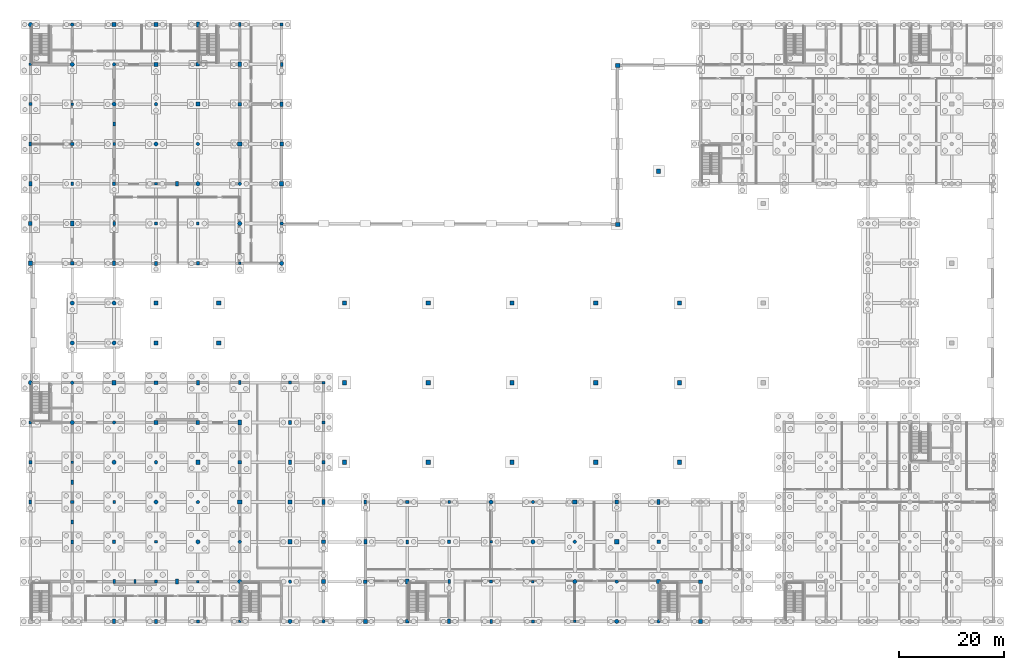
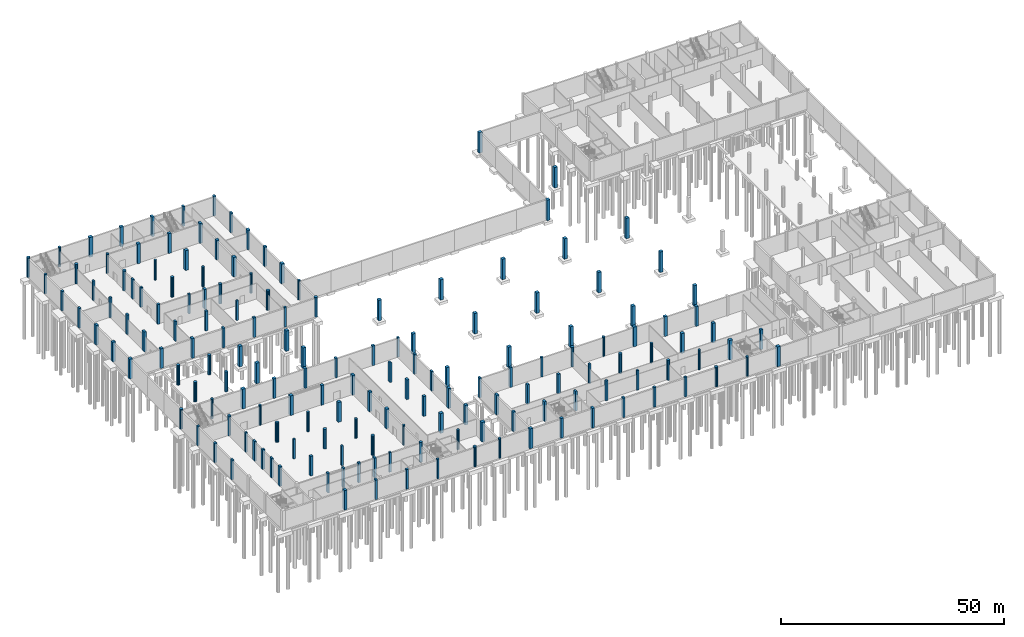
# One storey, part 18 of 44: 166 columns.
"""IFC4 building model written with IfcOpenShell, lengths in metres."""

from ifc_helpers import new_model, si_unit, direction, frame, origin, origin_2d, place, context, subcontext, project, spatial, rectangle, circle, extrude, material, material_profile, profile_set, type_object, element, save


model = new_model("IFC4")

# Units and contexts
model_context = context("Model", 3, precision=1e-05, world=origin(), true_north=direction((0.0, 1.0)))
body_context = subcontext(model_context, "Body", "Model", "MODEL_VIEW")
ifc_project = project(units=[si_unit("LENGTHUNIT", "METRE"), si_unit("AREAUNIT", "SQUARE_METRE"), si_unit("VOLUMEUNIT", "CUBIC_METRE"), si_unit("PLANEANGLEUNIT", "RADIAN"), si_unit("MASSUNIT", "GRAM", prefix="KILO")], contexts=[model_context])

# Site, building, storey
site_placement = place(None, origin())
site = spatial("IfcSite", under=ifc_project, at=site_placement, CompositionType="ELEMENT")
building_placement = place(site_placement, origin())
building = spatial("IfcBuilding", under=site, at=building_placement, Name="Khelvaren Railside Concert Hall", CompositionType="ELEMENT")
storey_placement = place(building_placement, frame((0.0, 0.0, -5.39990234375)))
storey = spatial("IfcBuildingStorey", under=building, at=storey_placement, Name="B1", CompositionType="ELEMENT", Elevation=-5.39990234375)

# Columns
ifc_material = material(Name="Concrete C45/55", Category="concrete")
ifc_material_profile_1 = material_profile(ifc_material, rectangle(XDim=0.60009765625, YDim=0.60009765625, at=origin_2d()), Name="RC 600x600")
ifc_profile_set_1 = profile_set([ifc_material_profile_1], Name="Concrete C45/55")
column_type_1 = type_object("IfcColumnType", Name="COL11", PredefinedType="COLUMN", material=ifc_profile_set_1)
for number, where, z_axis, x_axis, name in (
    (1, (0.0, 30.39990234375, 0.0), (0.0, 0.0, 1.0), (1.0, 0.0, 0.0), "V1 B1 Column (0.0,30.4)"),
    (2, (32.0, 0.0, 0.0), (0.0, 0.0, 1.0), (1.0, 0.0, 0.0), "V1 B1 Column (32.0,0.0)"),
    (3, (49.60009765625, 45.60009765625, 0.0), (0.0, 0.0, 1.0), (1.0, 0.0, 0.0), "V1 B1 Column (49.6,45.6)"),
    (4, (56.0, 38.0, 0.0), (0.0, 0.0, 1.0), (1.0, 0.0, 0.0), "V1 B1 Column (56.0,38.0)"),
    (5, (72.0, 22.800048828125, 0.0), (0.0, 0.0, 1.0), (1.0, 0.0, 0.0), "V3 B1 Column (72.0,22.8)"),
    (6, (96.0, 0.0, 0.0), (0.0, 0.0, 1.0), (1.0, 0.0, 0.0), "V3 B1 Column (96.0,0.0)"),
    (7, (0.0, 98.800048828125, 0.0), (0.0, 0.0, 1.0), (1.0, 0.0, 0.0), "V4 B1 Column (0.0,98.8)"),
    (8, (32.0, 68.39990234375, 0.0), (0.0, 0.0, 1.0), (1.0, 0.0, 0.0), "V4 B1 Column (32.0,68.4)"),
    (9, (48.0, 114.0, 0.0), (0.0, 0.0, 1.0), (1.0, 0.0, 0.0), "V4 B1 Column (48.0,114.0)"),
):
    element("IfcColumn", number, at=place(storey_placement, frame(where, z_axis=z_axis, x_axis=x_axis)), inside=storey, type_object=column_type_1, Name=name, PredefinedType="COLUMN", context=body_context, shape_type="SweptSolid", body=[
        extrude(rectangle(XDim=0.60009765625, YDim=0.60009765625, at=origin_2d()), origin(), (0.0, 0.0, 1.0), 5.39990234375),
    ])
ifc_material_profile_2 = material_profile(ifc_material, circle(Radius=0.39990234375, at=origin_2d()), Name="RC D800")
ifc_profile_set_2 = profile_set([ifc_material_profile_2], Name="Concrete C45/55")
column_type_2 = type_object("IfcColumnType", Name="COL14", PredefinedType="COLUMN", material=ifc_profile_set_2)
for number, where, z_axis, x_axis, name in (
    (10, (8.0, 38.0, 0.0), (0.0, 0.0, 1.0), (1.0, 0.0, 0.0), "V1 B1 Column (8.0,38.0)"),
    (11, (16.0, 30.39990234375, 0.0), (0.0, 0.0, 1.0), (1.0, 0.0, 0.0), "V1 B1 Column (16.0,30.4)"),
    (12, (24.0, 22.800048828125, 0.0), (0.0, 0.0, 1.0), (1.0, 0.0, 0.0), "V1 B1 Column (24.0,22.8)"),
    (13, (32.0, 15.199951171875, 0.0), (0.0, 0.0, 1.0), (1.0, 0.0, 0.0), "V1 B1 Column (32.0,15.2)"),
    (14, (40.0, 7.60009765625, 0.0), (0.0, 0.0, 1.0), (1.0, 0.0, 0.0), "V1 B1 Column (40.0,7.6)"),
    (15, (96.0, 15.199951171875, 0.0), (0.0, 0.0, 1.0), (1.0, 0.0, 0.0), "V3 B1 Column (96.0,15.2)"),
    (16, (104.0, 7.60009765625, 0.0), (0.0, 0.0, 1.0), (1.0, 0.0, 0.0), "V3 B1 Column (104.0,7.6)"),
    (17, (8.0, 106.39990234375, 0.0), (0.0, 0.0, 1.0), (1.0, 0.0, 0.0), "V4 B1 Column (8.0,106.4)"),
    (18, (16.0, 98.800048828125, 0.0), (0.0, 0.0, 1.0), (1.0, 0.0, 0.0), "V4 B1 Column (16.0,98.8)"),
    (19, (24.0, 91.199951171875, 0.0), (0.0, 0.0, 1.0), (1.0, 0.0, 0.0), "V4 B1 Column (24.0,91.2)"),
    (20, (32.0, 83.60009765625, 0.0), (0.0, 0.0, 1.0), (1.0, 0.0, 0.0), "V4 B1 Column (32.0,83.6)"),
    (21, (40.0, 76.0, 0.0), (0.0, 0.0, 1.0), (1.0, 0.0, 0.0), "V4 B1 Column (40.0,76.0)"),
    (22, (8.0, 53.199951171875, 0.0), (0.0, 0.0, 1.0), (1.0, 0.0, 0.0), "LB3 B1 Bridge Pier (8,53.2)"),
    (23, (8.0, 60.800048828125, 0.0), (0.0, 0.0, 1.0), (1.0, 0.0, 0.0), "LB3 B1 Bridge Pier (8,60.8)"),
    (24, (16.0, 53.199951171875, 0.0), (0.0, 0.0, 1.0), (1.0, 0.0, 0.0), "LB3 B1 Bridge Pier (16,53.2)"),
    (25, (16.0, 60.800048828125, 0.0), (0.0, 0.0, 1.0), (1.0, 0.0, 0.0), "LB3 B1 Bridge Pier (16,60.8)"),
):
    element("IfcColumn", number, at=place(storey_placement, frame(where, z_axis=z_axis, x_axis=x_axis)), inside=storey, type_object=column_type_2, Name=name, PredefinedType="COLUMN", context=body_context, shape_type="SweptSolid", body=[
        extrude(circle(Radius=0.39990234375, at=origin_2d()), origin(), (0.0, 0.0, 1.0), 5.39990234375),
    ])
ifc_material_profile_3 = material_profile(ifc_material, rectangle(XDim=0.699951171875, YDim=0.699951171875, at=origin_2d()), Name="RC 700x700")
ifc_profile_set_3 = profile_set([ifc_material_profile_3], Name="Concrete C45/55")
column_type_3 = type_object("IfcColumnType", Name="COL16", PredefinedType="COLUMN", material=ifc_profile_set_3)
for number, where, z_axis, x_axis, name in (
    (26, (24.0, 45.60009765625, 0.0), (0.0, 0.0, 1.0), (1.0, 0.0, 0.0), "V1 B1 Column (24.0,45.6)"),
    (27, (56.0, 15.199951171875, 0.0), (0.0, 0.0, 1.0), (1.0, 0.0, 0.0), "V1 B1 Column (56.0,15.2)"),
    (28, (64.0, 7.60009765625, 0.0), (0.0, 0.0, 1.0), (1.0, 0.0, 0.0), "V3 B1 Column (64.0,7.6)"),
    (29, (72.0, 0.0, 0.0), (0.0, 0.0, 1.0), (1.0, 0.0, 0.0), "V3 B1 Column (72.0,0.0)"),
    (30, (112.0, 22.800048828125, 0.0), (0.0, 0.0, 1.0), (1.0, 0.0, 0.0), "V3 B1 Column (112.0,22.8)"),
    (31, (0.0, 76.0, 0.0), (0.0, 0.0, 1.0), (1.0, 0.0, 0.0), "V4 B1 Column (0.0,76.0)"),
    (32, (8.0, 68.39990234375, 0.0), (0.0, 0.0, 1.0), (1.0, 0.0, 0.0), "V4 B1 Column (8.0,68.4)"),
    (33, (24.0, 114.0, 0.0), (0.0, 0.0, 1.0), (1.0, 0.0, 0.0), "V4 B1 Column (24.0,114.0)"),
    (34, (48.0, 91.199951171875, 0.0), (0.0, 0.0, 1.0), (1.0, 0.0, 0.0), "V4 B1 Column (48.0,91.2)"),
):
    element("IfcColumn", number, at=place(storey_placement, frame(where, z_axis=z_axis, x_axis=x_axis)), inside=storey, type_object=column_type_3, Name=name, PredefinedType="COLUMN", context=body_context, shape_type="SweptSolid", body=[
        extrude(rectangle(XDim=0.699951171875, YDim=0.699951171875, at=origin_2d()), origin(), (0.0, 0.0, 1.0), 5.39990234375),
    ])
ifc_material_profile_4 = material_profile(ifc_material, rectangle(XDim=0.800048828125, YDim=0.800048828125, at=origin_2d()), Name="RC 800x800")
ifc_profile_set_4 = profile_set([ifc_material_profile_4], Name="Concrete C45/55")
column_type_4 = type_object("IfcColumnType", Name="COL20", PredefinedType="COLUMN", material=ifc_profile_set_4)
for number, where, z_axis, x_axis, name in (
    (35, (24.0, 38.0, 0.0), (0.0, 0.0, 1.0), (1.0, 0.0, 0.0), "V1 B1 Column (24.0,38.0)"),
    (36, (32.0, 30.39990234375, 0.0), (0.0, 0.0, 1.0), (1.0, 0.0, 0.0), "V1 B1 Column (32.0,30.4)"),
    (37, (40.0, 22.800048828125, 0.0), (0.0, 0.0, 1.0), (1.0, 0.0, 0.0), "V1 B1 Column (40.0,22.8)"),
    (38, (49.60009765625, 15.199951171875, 0.0), (0.0, 0.0, 1.0), (1.0, 0.0, 0.0), "V1 B1 Column (49.6,15.2)"),
    (39, (112.0, 15.199951171875, 0.0), (0.0, 0.0, 1.0), (1.0, 0.0, 0.0), "V3 B1 Column (112.0,15.2)"),
    (40, (120.0, 7.60009765625, 0.0), (0.0, 0.0, 1.0), (1.0, 0.0, 0.0), "V3 B1 Column (120.0,7.6)"),
    (41, (24.0, 106.39990234375, 0.0), (0.0, 0.0, 1.0), (1.0, 0.0, 0.0), "V4 B1 Column (24.0,106.4)"),
    (42, (32.0, 98.800048828125, 0.0), (0.0, 0.0, 1.0), (1.0, 0.0, 0.0), "V4 B1 Column (32.0,98.8)"),
    (43, (40.0, 91.199951171875, 0.0), (0.0, 0.0, 1.0), (1.0, 0.0, 0.0), "V4 B1 Column (40.0,91.2)"),
):
    element("IfcColumn", number, at=place(storey_placement, frame(where, z_axis=z_axis, x_axis=x_axis)), inside=storey, type_object=column_type_4, Name=name, PredefinedType="COLUMN", context=body_context, shape_type="SweptSolid", body=[
        extrude(rectangle(XDim=0.800048828125, YDim=0.800048828125, at=origin_2d()), origin(), (0.0, 0.0, 1.0), 5.39990234375),
    ])
for number, where, z_axis, x_axis, name in (
    (44, (60.0, 30.39990234375, -0.5), (0.0, 0.0, 1.0), (1.0, 0.0, 0.0), "B1 Courtyard Support Column 1"),
    (45, (76.0, 30.39990234375, -0.5), (0.0, 0.0, 1.0), (1.0, 0.0, 0.0), "B1 Courtyard Support Column 2"),
    (46, (92.0, 30.39990234375, -0.5), (0.0, 0.0, 1.0), (1.0, 0.0, 0.0), "B1 Courtyard Support Column 3"),
    (47, (108.0, 30.39990234375, -0.5), (0.0, 0.0, 1.0), (1.0, 0.0, 0.0), "B1 Courtyard Support Column 4"),
    (48, (124.0, 30.39990234375, -0.5), (0.0, 0.0, 1.0), (1.0, 0.0, 0.0), "B1 Courtyard Support Column 5"),
    (49, (60.0, 45.60009765625, -0.5), (0.0, 0.0, 1.0), (1.0, 0.0, 0.0), "B1 Courtyard Support Column 6"),
    (50, (76.0, 45.60009765625, -0.5), (0.0, 0.0, 1.0), (1.0, 0.0, 0.0), "B1 Courtyard Support Column 7"),
    (51, (92.0, 45.60009765625, -0.5), (0.0, 0.0, 1.0), (1.0, 0.0, 0.0), "B1 Courtyard Support Column 8"),
    (52, (108.0, 45.60009765625, -0.5), (0.0, 0.0, 1.0), (1.0, 0.0, 0.0), "B1 Courtyard Support Column 9"),
    (53, (124.0, 45.60009765625, -0.5), (0.0, 0.0, 1.0), (1.0, 0.0, 0.0), "B1 Courtyard Support Column 10"),
    (54, (60.0, 60.800048828125, -0.5), (0.0, 0.0, 1.0), (1.0, 0.0, 0.0), "B1 Courtyard Support Column 12"),
    (55, (76.0, 60.800048828125, -0.5), (0.0, 0.0, 1.0), (1.0, 0.0, 0.0), "B1 Courtyard Support Column 13"),
    (56, (92.0, 60.800048828125, -0.5), (0.0, 0.0, 1.0), (1.0, 0.0, 0.0), "B1 Courtyard Support Column 14"),
    (57, (108.0, 60.800048828125, -0.5), (0.0, 0.0, 1.0), (1.0, 0.0, 0.0), "B1 Courtyard Support Column 15"),
    (58, (124.0, 60.800048828125, -0.5), (0.0, 0.0, 1.0), (1.0, 0.0, 0.0), "B1 Courtyard Support Column 16"),
    (59, (24.0, 53.199951171875, -0.5), (0.0, 0.0, 1.0), (1.0, 0.0, 0.0), "B1 Courtyard Support Column 18"),
    (60, (36.0, 53.199951171875, -0.5), (0.0, 0.0, 1.0), (1.0, 0.0, 0.0), "B1 Courtyard Support Column 19"),
    (61, (24.0, 60.800048828125, -0.5), (0.0, 0.0, 1.0), (1.0, 0.0, 0.0), "B1 Courtyard Support Column 20"),
    (62, (36.0, 60.800048828125, -0.5), (0.0, 0.0, 1.0), (1.0, 0.0, 0.0), "B1 Courtyard Support Column 21"),
    (63, (120.0, 86.0, -0.5), (0.0, 0.0, 1.0), (1.0, 0.0, 0.0), "B1 Courtyard Support Column 25"),
    (64, (112.199951171875, 75.800048828125, -0.5), (0.0, 0.0, 1.0), (1.0, 0.0, 0.0), "B1 Courtyard Support Column 26"),
    (65, (112.199951171875, 106.199951171875, -0.5), (0.0, 0.0, 1.0), (1.0, 0.0, 0.0), "B1 Courtyard Support Column 27"),
):
    element("IfcColumn", number, at=place(storey_placement, frame(where, z_axis=z_axis, x_axis=x_axis)), inside=storey, type_object=column_type_4, Name=name, PredefinedType="COLUMN", context=body_context, shape_type="SweptSolid", body=[
        extrude(rectangle(XDim=0.800048828125, YDim=0.800048828125, at=origin_2d()), origin(), (0.0, 0.0, 1.0), 5.599853515625),
    ])
ifc_material_profile_5 = material_profile(ifc_material, circle(Radius=0.39990234375, at=origin_2d()), Name="RC D800")
ifc_profile_set_5 = profile_set([ifc_material_profile_5], Name="Concrete C45/55")
column_type_5 = type_object("IfcColumnType", Name="COL22", PredefinedType="COLUMN", material=ifc_profile_set_5)
for number, where, z_axis, x_axis, name in (
    (66, (0.0, 45.60009765625, 0.0), (0.0, 0.0, 1.0), (1.0, 0.0, 0.0), "V1 B1 Column (0.0,45.6)"),
    (67, (49.60009765625, 0.0, 0.0), (0.0, 0.0, 1.0), (1.0, 0.0, 0.0), "V1 B1 Column (49.6,0.0)"),
    (68, (88.0, 22.800048828125, 0.0), (0.0, 0.0, 1.0), (1.0, 0.0, 0.0), "V3 B1 Column (88.0,22.8)"),
    (69, (112.0, 0.0, 0.0), (0.0, 0.0, 1.0), (1.0, 0.0, 0.0), "V3 B1 Column (112.0,0.0)"),
    (70, (0.0, 114.0, 0.0), (0.0, 0.0, 1.0), (1.0, 0.0, 0.0), "V4 B1 Column (0.0,114.0)"),
    (71, (48.0, 68.39990234375, 0.0), (0.0, 0.0, 1.0), (1.0, 0.0, 0.0), "V4 B1 Column (48.0,68.4)"),
):
    element("IfcColumn", number, at=place(storey_placement, frame(where, z_axis=z_axis, x_axis=x_axis)), inside=storey, type_object=column_type_5, Name=name, PredefinedType="COLUMN", context=body_context, shape_type="SweptSolid", body=[
        extrude(circle(Radius=0.39990234375, at=origin_2d()), origin(), (0.0, 0.0, 1.0), 5.39990234375),
    ])
ifc_material_profile_6 = material_profile(ifc_material, rectangle(XDim=0.60009765625, YDim=0.60009765625, at=origin_2d()), Name="RC 600x600")
ifc_profile_set_6 = profile_set([ifc_material_profile_6], Name="Concrete C45/55")
column_type_6 = type_object("IfcColumnType", Name="COL29", PredefinedType="COLUMN", material=ifc_profile_set_6)
for number, where, z_axis, x_axis, name in (
    (72, (8.0, 22.800048828125, 0.0), (0.0, 0.0, 1.0), (1.0, 0.0, 0.0), "V1 B1 Column (8.0,22.8)"),
    (73, (16.0, 15.199951171875, 0.0), (0.0, 0.0, 1.0), (1.0, 0.0, 0.0), "V1 B1 Column (16.0,15.2)"),
    (74, (24.0, 7.60009765625, 0.0), (0.0, 0.0, 1.0), (1.0, 0.0, 0.0), "V1 B1 Column (24.0,7.6)"),
    (75, (80.0, 15.199951171875, 0.0), (0.0, 0.0, 1.0), (1.0, 0.0, 0.0), "V3 B1 Column (80.0,15.2)"),
    (76, (88.0, 7.60009765625, 0.0), (0.0, 0.0, 1.0), (1.0, 0.0, 0.0), "V3 B1 Column (88.0,7.6)"),
    (77, (8.0, 91.199951171875, 0.0), (0.0, 0.0, 1.0), (1.0, 0.0, 0.0), "V4 B1 Column (8.0,91.2)"),
    (78, (16.0, 83.60009765625, 0.0), (0.0, 0.0, 1.0), (1.0, 0.0, 0.0), "V4 B1 Column (16.0,83.6)"),
    (79, (24.0, 76.0, 0.0), (0.0, 0.0, 1.0), (1.0, 0.0, 0.0), "V4 B1 Column (24.0,76.0)"),
):
    element("IfcColumn", number, at=place(storey_placement, frame(where, z_axis=z_axis, x_axis=x_axis)), inside=storey, type_object=column_type_6, Name=name, PredefinedType="COLUMN", context=body_context, shape_type="SweptSolid", body=[
        extrude(rectangle(XDim=0.60009765625, YDim=0.60009765625, at=origin_2d()), origin(), (0.0, 0.0, 1.0), 5.39990234375),
    ])
ifc_material_profile_7 = material_profile(ifc_material, rectangle(XDim=0.60009765625, YDim=0.89990234375, at=origin_2d()), Name="RC 600x900")
ifc_profile_set_7 = profile_set([ifc_material_profile_7], Name="Concrete C45/55")
column_type_7 = type_object("IfcColumnType", Name="COL33", PredefinedType="COLUMN", material=ifc_profile_set_7)
for number, where, z_axis, x_axis, name in (
    (80, (40.0, 38.0, 0.0), (0.0, 0.0, 1.0), (1.0, 0.0, 0.0), "V1 B1 Column (40.0,38.0)"),
    (81, (49.60009765625, 30.39990234375, 0.0), (0.0, 0.0, 1.0), (1.0, 0.0, 0.0), "V1 B1 Column (49.6,30.4)"),
    (82, (72.0, 7.60009765625, 0.0), (0.0, 0.0, 1.0), (1.0, 0.0, 0.0), "V3 B1 Column (72.0,7.6)"),
    (83, (8.0, 76.0, 0.0), (0.0, 0.0, 1.0), (1.0, 0.0, 0.0), "V4 B1 Column (8.0,76.0)"),
    (84, (40.0, 106.39990234375, 0.0), (0.0, 0.0, 1.0), (1.0, 0.0, 0.0), "V4 B1 Column (40.0,106.4)"),
):
    element("IfcColumn", number, at=place(storey_placement, frame(where, z_axis=z_axis, x_axis=x_axis)), inside=storey, type_object=column_type_7, Name=name, PredefinedType="COLUMN", context=body_context, shape_type="SweptSolid", body=[
        extrude(rectangle(XDim=0.60009765625, YDim=0.89990234375, at=origin_2d()), origin(), (0.0, 0.0, 1.0), 5.39990234375),
    ])
ifc_material_profile_8 = material_profile(ifc_material, rectangle(XDim=0.5, YDim=0.5, at=origin_2d()), Name="RC 500x500")
ifc_profile_set_8 = profile_set([ifc_material_profile_8], Name="Concrete C45/55")
column_type_8 = type_object("IfcColumnType", Name="COL35", PredefinedType="COLUMN", material=ifc_profile_set_8)
for number, where, z_axis, x_axis, name in (
    (85, (0.0, 38.0, 0.0), (0.0, 0.0, 1.0), (1.0, 0.0, 0.0), "V1 B1 Column (0.0,38.0)"),
    (86, (40.0, 0.0, 0.0), (0.0, 0.0, 1.0), (1.0, 0.0, 0.0), "V1 B1 Column (40.0,0.0)"),
    (87, (56.0, 45.60009765625, 0.0), (0.0, 0.0, 1.0), (1.0, 0.0, 0.0), "V1 B1 Column (56.0,45.6)"),
    (88, (80.0, 22.800048828125, 0.0), (0.0, 0.0, 1.0), (1.0, 0.0, 0.0), "V3 B1 Column (80.0,22.8)"),
    (89, (104.0, 0.0, 0.0), (0.0, 0.0, 1.0), (1.0, 0.0, 0.0), "V3 B1 Column (104.0,0.0)"),
    (90, (0.0, 106.39990234375, 0.0), (0.0, 0.0, 1.0), (1.0, 0.0, 0.0), "V4 B1 Column (0.0,106.4)"),
    (91, (40.0, 68.39990234375, 0.0), (0.0, 0.0, 1.0), (1.0, 0.0, 0.0), "V4 B1 Column (40.0,68.4)"),
):
    element("IfcColumn", number, at=place(storey_placement, frame(where, z_axis=z_axis, x_axis=x_axis)), inside=storey, type_object=column_type_8, Name=name, PredefinedType="COLUMN", context=body_context, shape_type="SweptSolid", body=[
        extrude(rectangle(XDim=0.5, YDim=0.5, at=origin_2d()), origin(), (0.0, 0.0, 1.0), 5.39990234375),
    ])
ifc_material_profile_9 = material_profile(ifc_material, rectangle(XDim=0.5, YDim=0.75, at=origin_2d()), Name="RC 500x750")
ifc_profile_set_9 = profile_set([ifc_material_profile_9], Name="Concrete C45/55")
column_type_9 = type_object("IfcColumnType", Name="COL36", PredefinedType="COLUMN", material=ifc_profile_set_9)
for number, where, z_axis, x_axis, name in (
    (92, (8.0, 15.199951171875, 0.0), (0.0, 0.0, 1.0), (1.0, 0.0, 0.0), "V1 B1 Column (8.0,15.2)"),
    (93, (16.0, 7.60009765625, 0.0), (0.0, 0.0, 1.0), (1.0, 0.0, 0.0), "V1 B1 Column (16.0,7.6)"),
    (94, (49.60009765625, 38.0, 0.0), (0.0, 0.0, 1.0), (1.0, 0.0, 0.0), "V1 B1 Column (49.6,38.0)"),
    (95, (72.0, 15.199951171875, 0.0), (0.0, 0.0, 1.0), (1.0, 0.0, 0.0), "V3 B1 Column (72.0,15.2)"),
    (96, (80.0, 7.60009765625, 0.0), (0.0, 0.0, 1.0), (1.0, 0.0, 0.0), "V3 B1 Column (80.0,7.6)"),
    (97, (8.0, 83.60009765625, 0.0), (0.0, 0.0, 1.0), (1.0, 0.0, 0.0), "V4 B1 Column (8.0,83.6)"),
    (98, (16.0, 76.0, 0.0), (0.0, 0.0, 1.0), (1.0, 0.0, 0.0), "V4 B1 Column (16.0,76.0)"),
):
    element("IfcColumn", number, at=place(storey_placement, frame(where, z_axis=z_axis, x_axis=x_axis)), inside=storey, type_object=column_type_9, Name=name, PredefinedType="COLUMN", context=body_context, shape_type="SweptSolid", body=[
        extrude(rectangle(XDim=0.5, YDim=0.75, at=origin_2d()), origin(), (0.0, 0.0, 1.0), 5.39990234375),
    ])
ifc_material_profile_10 = material_profile(ifc_material, rectangle(XDim=0.800048828125, YDim=0.800048828125, at=origin_2d()), Name="RC 800x800")
ifc_profile_set_10 = profile_set([ifc_material_profile_10], Name="Concrete C45/55")
column_type_10 = type_object("IfcColumnType", Name="COL38", PredefinedType="COLUMN", material=ifc_profile_set_10)
for number, where, z_axis, x_axis, name in (
    (99, (16.0, 45.60009765625, 0.0), (0.0, 0.0, 1.0), (1.0, 0.0, 0.0), "V1 B1 Column (16.0,45.6)"),
    (100, (56.0, 7.60009765625, 0.0), (0.0, 0.0, 1.0), (1.0, 0.0, 0.0), "V1 B1 Column (56.0,7.6)"),
    (101, (64.0, 0.0, 0.0), (0.0, 0.0, 1.0), (1.0, 0.0, 0.0), "V3 B1 Column (64.0,0.0)"),
    (102, (104.0, 22.800048828125, 0.0), (0.0, 0.0, 1.0), (1.0, 0.0, 0.0), "V3 B1 Column (104.0,22.8)"),
    (103, (128.0, 0.0, 0.0), (0.0, 0.0, 1.0), (1.0, 0.0, 0.0), "V3 B1 Column (128.0,0.0)"),
    (104, (0.0, 68.39990234375, 0.0), (0.0, 0.0, 1.0), (1.0, 0.0, 0.0), "V4 B1 Column (0.0,68.4)"),
    (105, (16.0, 114.0, 0.0), (0.0, 0.0, 1.0), (1.0, 0.0, 0.0), "V4 B1 Column (16.0,114.0)"),
    (106, (48.0, 83.60009765625, 0.0), (0.0, 0.0, 1.0), (1.0, 0.0, 0.0), "V4 B1 Column (48.0,83.6)"),
):
    element("IfcColumn", number, at=place(storey_placement, frame(where, z_axis=z_axis, x_axis=x_axis)), inside=storey, type_object=column_type_10, Name=name, PredefinedType="COLUMN", context=body_context, shape_type="SweptSolid", body=[
        extrude(rectangle(XDim=0.800048828125, YDim=0.800048828125, at=origin_2d()), origin(), (0.0, 0.0, 1.0), 5.39990234375),
    ])
ifc_material_profile_11 = material_profile(ifc_material, circle(Radius=0.324951171875, at=origin_2d()), Name="RC D650")
ifc_profile_set_11 = profile_set([ifc_material_profile_11], Name="Concrete C45/55")
column_type_11 = type_object("IfcColumnType", Name="COL53", PredefinedType="COLUMN", material=ifc_profile_set_11)
for number, where, z_axis, x_axis, name in (
    (107, (8.0, 45.60009765625, 0.0), (0.0, 0.0, 1.0), (1.0, 0.0, 0.0), "V1 B1 Column (8.0,45.6)"),
    (108, (56.0, 0.0, 0.0), (0.0, 0.0, 1.0), (1.0, 0.0, 0.0), "V1 B1 Column (56.0,0.0)"),
    (109, (96.0, 22.800048828125, 0.0), (0.0, 0.0, 1.0), (1.0, 0.0, 0.0), "V3 B1 Column (96.0,22.8)"),
    (110, (120.0, 0.0, 0.0), (0.0, 0.0, 1.0), (1.0, 0.0, 0.0), "V3 B1 Column (120.0,0.0)"),
    (111, (8.0, 114.0, 0.0), (0.0, 0.0, 1.0), (1.0, 0.0, 0.0), "V4 B1 Column (8.0,114.0)"),
    (112, (48.0, 76.0, 0.0), (0.0, 0.0, 1.0), (1.0, 0.0, 0.0), "V4 B1 Column (48.0,76.0)"),
):
    element("IfcColumn", number, at=place(storey_placement, frame(where, z_axis=z_axis, x_axis=x_axis)), inside=storey, type_object=column_type_11, Name=name, PredefinedType="COLUMN", context=body_context, shape_type="SweptSolid", body=[
        extrude(circle(Radius=0.324951171875, at=origin_2d()), origin(), (0.0, 0.0, 1.0), 5.39990234375),
    ])
ifc_material_profile_12 = material_profile(ifc_material, rectangle(XDim=0.699951171875, YDim=0.699951171875, at=origin_2d()), Name="RC 700x700")
ifc_profile_set_12 = profile_set([ifc_material_profile_12], Name="Concrete C45/55")
column_type_12 = type_object("IfcColumnType", Name="COL74", PredefinedType="COLUMN", material=ifc_profile_set_12)
for number, where, z_axis, x_axis, name in (
    (113, (32.0, 38.0, 0.0), (0.0, 0.0, 1.0), (1.0, 0.0, 0.0), "V1 B1 Column (32.0,38.0)"),
    (114, (40.0, 30.39990234375, 0.0), (0.0, 0.0, 1.0), (1.0, 0.0, 0.0), "V1 B1 Column (40.0,30.4)"),
    (115, (49.60009765625, 22.800048828125, 0.0), (0.0, 0.0, 1.0), (1.0, 0.0, 0.0), "V1 B1 Column (49.6,22.8)"),
    (116, (120.0, 15.199951171875, 0.0), (0.0, 0.0, 1.0), (1.0, 0.0, 0.0), "V3 B1 Column (120.0,15.2)"),
    (117, (128.0, 7.60009765625, 0.0), (0.0, 0.0, 1.0), (1.0, 0.0, 0.0), "V3 B1 Column (128.0,7.6)"),
    (118, (32.0, 106.39990234375, 0.0), (0.0, 0.0, 1.0), (1.0, 0.0, 0.0), "V4 B1 Column (32.0,106.4)"),
    (119, (40.0, 98.800048828125, 0.0), (0.0, 0.0, 1.0), (1.0, 0.0, 0.0), "V4 B1 Column (40.0,98.8)"),
):
    element("IfcColumn", number, at=place(storey_placement, frame(where, z_axis=z_axis, x_axis=x_axis)), inside=storey, type_object=column_type_12, Name=name, PredefinedType="COLUMN", context=body_context, shape_type="SweptSolid", body=[
        extrude(rectangle(XDim=0.699951171875, YDim=0.699951171875, at=origin_2d()), origin(), (0.0, 0.0, 1.0), 5.39990234375),
    ])
ifc_material_profile_13 = material_profile(ifc_material, rectangle(XDim=0.5, YDim=0.5, at=origin_2d()), Name="RC 500x500")
ifc_profile_set_13 = profile_set([ifc_material_profile_13], Name="Concrete C45/55")
column_type_13 = type_object("IfcColumnType", Name="COL84", PredefinedType="COLUMN", material=ifc_profile_set_13)
for number, where, z_axis, x_axis, name in (
    (120, (8.0, 30.39990234375, 0.0), (0.0, 0.0, 1.0), (1.0, 0.0, 0.0), "V1 B1 Column (8.0,30.4)"),
    (121, (16.0, 22.800048828125, 0.0), (0.0, 0.0, 1.0), (1.0, 0.0, 0.0), "V1 B1 Column (16.0,22.8)"),
    (122, (24.0, 15.199951171875, 0.0), (0.0, 0.0, 1.0), (1.0, 0.0, 0.0), "V1 B1 Column (24.0,15.2)"),
    (123, (32.0, 7.60009765625, 0.0), (0.0, 0.0, 1.0), (1.0, 0.0, 0.0), "V1 B1 Column (32.0,7.6)"),
    (124, (88.0, 15.199951171875, 0.0), (0.0, 0.0, 1.0), (1.0, 0.0, 0.0), "V3 B1 Column (88.0,15.2)"),
    (125, (96.0, 7.60009765625, 0.0), (0.0, 0.0, 1.0), (1.0, 0.0, 0.0), "V3 B1 Column (96.0,7.6)"),
    (126, (8.0, 98.800048828125, 0.0), (0.0, 0.0, 1.0), (1.0, 0.0, 0.0), "V4 B1 Column (8.0,98.8)"),
    (127, (16.0, 91.199951171875, 0.0), (0.0, 0.0, 1.0), (1.0, 0.0, 0.0), "V4 B1 Column (16.0,91.2)"),
    (128, (24.0, 83.60009765625, 0.0), (0.0, 0.0, 1.0), (1.0, 0.0, 0.0), "V4 B1 Column (24.0,83.6)"),
    (129, (32.0, 76.0, 0.0), (0.0, 0.0, 1.0), (1.0, 0.0, 0.0), "V4 B1 Column (32.0,76.0)"),
):
    element("IfcColumn", number, at=place(storey_placement, frame(where, z_axis=z_axis, x_axis=x_axis)), inside=storey, type_object=column_type_13, Name=name, PredefinedType="COLUMN", context=body_context, shape_type="SweptSolid", body=[
        extrude(rectangle(XDim=0.5, YDim=0.5, at=origin_2d()), origin(), (0.0, 0.0, 1.0), 5.39990234375),
    ])
ifc_material_profile_14 = material_profile(ifc_material, circle(Radius=0.324951171875, at=origin_2d()), Name="RC D650")
ifc_profile_set_14 = profile_set([ifc_material_profile_14], Name="Concrete C45/55")
column_type_14 = type_object("IfcColumnType", Name="COL94", PredefinedType="COLUMN", material=ifc_profile_set_14)
for number, where, z_axis, x_axis, name in (
    (130, (16.0, 38.0, 0.0), (0.0, 0.0, 1.0), (1.0, 0.0, 0.0), "V1 B1 Column (16.0,38.0)"),
    (131, (24.0, 30.39990234375, 0.0), (0.0, 0.0, 1.0), (1.0, 0.0, 0.0), "V1 B1 Column (24.0,30.4)"),
    (132, (32.0, 22.800048828125, 0.0), (0.0, 0.0, 1.0), (1.0, 0.0, 0.0), "V1 B1 Column (32.0,22.8)"),
    (133, (40.0, 15.199951171875, 0.0), (0.0, 0.0, 1.0), (1.0, 0.0, 0.0), "V1 B1 Column (40.0,15.2)"),
    (134, (49.60009765625, 7.60009765625, 0.0), (0.0, 0.0, 1.0), (1.0, 0.0, 0.0), "V1 B1 Column (49.6,7.6)"),
    (135, (104.0, 15.199951171875, 0.0), (0.0, 0.0, 1.0), (1.0, 0.0, 0.0), "V3 B1 Column (104.0,15.2)"),
    (136, (112.0, 7.60009765625, 0.0), (0.0, 0.0, 1.0), (1.0, 0.0, 0.0), "V3 B1 Column (112.0,7.6)"),
    (137, (16.0, 106.39990234375, 0.0), (0.0, 0.0, 1.0), (1.0, 0.0, 0.0), "V4 B1 Column (16.0,106.4)"),
    (138, (24.0, 98.800048828125, 0.0), (0.0, 0.0, 1.0), (1.0, 0.0, 0.0), "V4 B1 Column (24.0,98.8)"),
    (139, (32.0, 91.199951171875, 0.0), (0.0, 0.0, 1.0), (1.0, 0.0, 0.0), "V4 B1 Column (32.0,91.2)"),
    (140, (40.0, 83.60009765625, 0.0), (0.0, 0.0, 1.0), (1.0, 0.0, 0.0), "V4 B1 Column (40.0,83.6)"),
):
    element("IfcColumn", number, at=place(storey_placement, frame(where, z_axis=z_axis, x_axis=x_axis)), inside=storey, type_object=column_type_14, Name=name, PredefinedType="COLUMN", context=body_context, shape_type="SweptSolid", body=[
        extrude(circle(Radius=0.324951171875, at=origin_2d()), origin(), (0.0, 0.0, 1.0), 5.39990234375),
    ])
ifc_material_profile_15 = material_profile(ifc_material, rectangle(XDim=0.60009765625, YDim=0.89990234375, at=origin_2d()), Name="RC 600x900")
ifc_profile_set_15 = profile_set([ifc_material_profile_15], Name="Concrete C45/55")
column_type_15 = type_object("IfcColumnType", Name="COL95", PredefinedType="COLUMN", material=ifc_profile_set_15)
for number, where, z_axis, x_axis, name in (
    (141, (16.0, 0.0, 0.0), (0.0, 0.0, 1.0), (1.0, 0.0, 0.0), "V1 B1 Column (16.0,0.0)"),
    (142, (32.0, 45.60009765625, 0.0), (0.0, 0.0, 1.0), (1.0, 0.0, 0.0), "V1 B1 Column (32.0,45.6)"),
    (143, (56.0, 22.800048828125, 0.0), (0.0, 0.0, 1.0), (1.0, 0.0, 0.0), "V1 B1 Column (56.0,22.8)"),
    (144, (64.0, 15.199951171875, 0.0), (0.0, 0.0, 1.0), (1.0, 0.0, 0.0), "V3 B1 Column (64.0,15.2)"),
    (145, (80.0, 0.0, 0.0), (0.0, 0.0, 1.0), (1.0, 0.0, 0.0), "V3 B1 Column (80.0,0.0)"),
    (146, (120.0, 22.800048828125, 0.0), (0.0, 0.0, 1.0), (1.0, 0.0, 0.0), "V3 B1 Column (120.0,22.8)"),
    (147, (0.0, 83.60009765625, 0.0), (0.0, 0.0, 1.0), (1.0, 0.0, 0.0), "V4 B1 Column (0.0,83.6)"),
    (148, (16.0, 68.39990234375, 0.0), (0.0, 0.0, 1.0), (1.0, 0.0, 0.0), "V4 B1 Column (16.0,68.4)"),
    (149, (32.0, 114.0, 0.0), (0.0, 0.0, 1.0), (1.0, 0.0, 0.0), "V4 B1 Column (32.0,114.0)"),
    (150, (48.0, 98.800048828125, 0.0), (0.0, 0.0, 1.0), (1.0, 0.0, 0.0), "V4 B1 Column (48.0,98.8)"),
):
    element("IfcColumn", number, at=place(storey_placement, frame(where, z_axis=z_axis, x_axis=x_axis)), inside=storey, type_object=column_type_15, Name=name, PredefinedType="COLUMN", context=body_context, shape_type="SweptSolid", body=[
        extrude(rectangle(XDim=0.60009765625, YDim=0.89990234375, at=origin_2d()), origin(), (0.0, 0.0, 1.0), 5.39990234375),
    ])
ifc_material_profile_16 = material_profile(ifc_material, rectangle(XDim=0.5, YDim=0.75, at=origin_2d()), Name="RC 500x750")
ifc_profile_set_16 = profile_set([ifc_material_profile_16], Name="Concrete C45/55")
column_type_16 = type_object("IfcColumnType", Name="COL97", PredefinedType="COLUMN", material=ifc_profile_set_16)
for number, where, z_axis, x_axis, name in (
    (151, (0.0, 22.800048828125, 0.0), (0.0, 0.0, 1.0), (1.0, 0.0, 0.0), "V1 B1 Column (0.0,22.8)"),
    (152, (24.0, 0.0, 0.0), (0.0, 0.0, 1.0), (1.0, 0.0, 0.0), "V1 B1 Column (24.0,0.0)"),
    (153, (40.0, 45.60009765625, 0.0), (0.0, 0.0, 1.0), (1.0, 0.0, 0.0), "V1 B1 Column (40.0,45.6)"),
    (154, (56.0, 30.39990234375, 0.0), (0.0, 0.0, 1.0), (1.0, 0.0, 0.0), "V1 B1 Column (56.0,30.4)"),
    (155, (64.0, 22.800048828125, 0.0), (0.0, 0.0, 1.0), (1.0, 0.0, 0.0), "V3 B1 Column (64.0,22.8)"),
    (156, (88.0, 0.0, 0.0), (0.0, 0.0, 1.0), (1.0, 0.0, 0.0), "V3 B1 Column (88.0,0.0)"),
    (157, (0.0, 91.199951171875, 0.0), (0.0, 0.0, 1.0), (1.0, 0.0, 0.0), "V4 B1 Column (0.0,91.2)"),
    (158, (24.0, 68.39990234375, 0.0), (0.0, 0.0, 1.0), (1.0, 0.0, 0.0), "V4 B1 Column (24.0,68.4)"),
    (159, (40.0, 114.0, 0.0), (0.0, 0.0, 1.0), (1.0, 0.0, 0.0), "V4 B1 Column (40.0,114.0)"),
    (160, (48.0, 106.39990234375, 0.0), (0.0, 0.0, 1.0), (1.0, 0.0, 0.0), "V4 B1 Column (48.0,106.4)"),
):
    element("IfcColumn", number, at=place(storey_placement, frame(where, z_axis=z_axis, x_axis=x_axis)), inside=storey, type_object=column_type_16, Name=name, PredefinedType="COLUMN", context=body_context, shape_type="SweptSolid", body=[
        extrude(rectangle(XDim=0.5, YDim=0.75, at=origin_2d()), origin(), (0.0, 0.0, 1.0), 5.39990234375),
    ])
ifc_material_profile_17 = material_profile(ifc_material, rectangle(XDim=0.5, YDim=0.89990234375, at=origin_2d()), Name="PIL 500x900")
ifc_profile_set_17 = profile_set([ifc_material_profile_17], Name="Concrete C45/55")
column_type_17 = type_object("IfcColumnType", Name="PIL31", PredefinedType="PILASTER", material=ifc_profile_set_17)
for number, where, z_axis, x_axis, name in (
    (161, (8.0, 26.60009765625, 0.0), (0.0, 0.0, 1.0), (1.0, 0.0, 0.0), "Acoustic Buttress Pilaster 2"),
    (162, (28.0, 7.60009765625, 0.0), (0.0, 0.0, 1.0), (1.0, 0.0, 0.0), "Acoustic Buttress Pilaster 4"),
    (163, (28.0, 83.60009765625, 0.0), (0.0, 0.0, 1.0), (1.0, 0.0, 0.0), "Acoustic Buttress Pilaster 6"),
):
    element("IfcColumn", number, at=place(storey_placement, frame(where, z_axis=z_axis, x_axis=x_axis)), inside=storey, type_object=column_type_17, Name=name, PredefinedType="PILASTER", context=body_context, shape_type="SweptSolid", body=[
        extrude(rectangle(XDim=0.5, YDim=0.89990234375, at=origin_2d()), origin(), (0.0, 0.0, 1.0), 5.39990234375),
    ])
ifc_material_profile_18 = material_profile(ifc_material, rectangle(XDim=0.449951171875, YDim=0.800048828125, at=origin_2d()), Name="PIL 450x800")
ifc_profile_set_18 = profile_set([ifc_material_profile_18], Name="Concrete C45/55")
column_type_18 = type_object("IfcColumnType", Name="PIL63", PredefinedType="PILASTER", material=ifc_profile_set_18)
for number, where, z_axis, x_axis, name in (
    (164, (8.0, 19.0, 0.0), (0.0, 0.0, 1.0), (1.0, 0.0, 0.0), "Acoustic Buttress Pilaster 1"),
    (165, (20.0, 7.60009765625, 0.0), (0.0, 0.0, 1.0), (1.0, 0.0, 0.0), "Acoustic Buttress Pilaster 3"),
    (166, (16.0, 95.0, 0.0), (0.0, 0.0, 1.0), (1.0, 0.0, 0.0), "Acoustic Buttress Pilaster 5"),
):
    element("IfcColumn", number, at=place(storey_placement, frame(where, z_axis=z_axis, x_axis=x_axis)), inside=storey, type_object=column_type_18, Name=name, PredefinedType="PILASTER", context=body_context, shape_type="SweptSolid", body=[
        extrude(rectangle(XDim=0.449951171875, YDim=0.800048828125, at=origin_2d()), origin(), (0.0, 0.0, 1.0), 5.39990234375),
    ])

save(model, "model.ifc")
